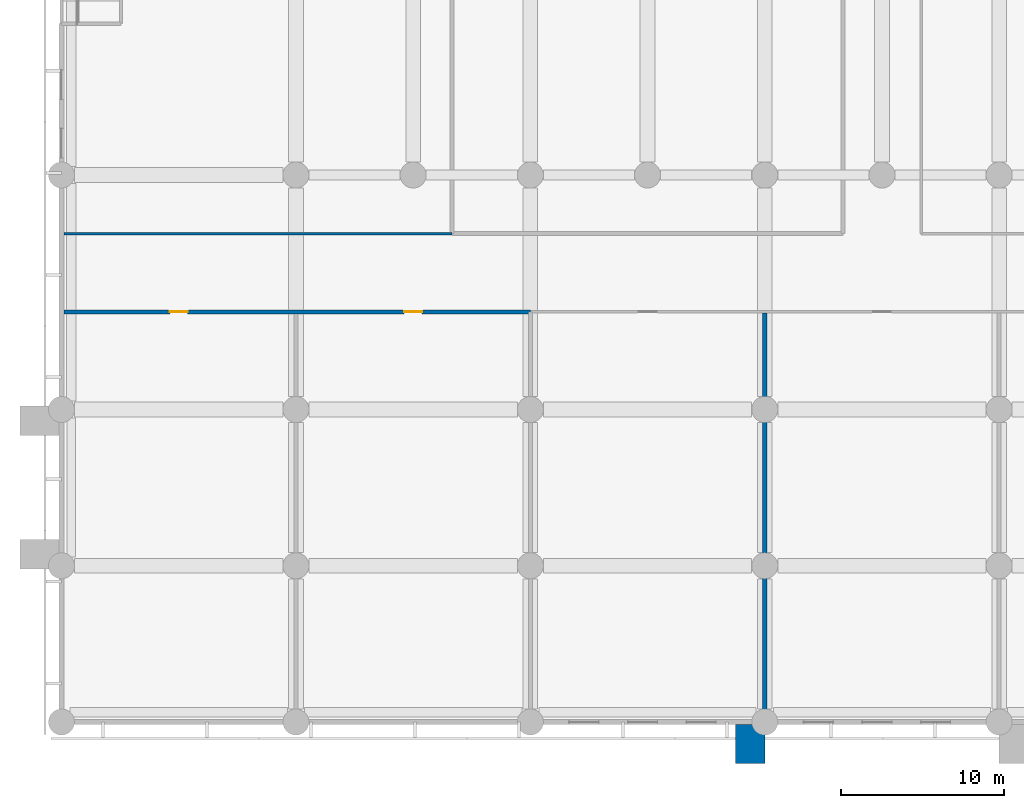
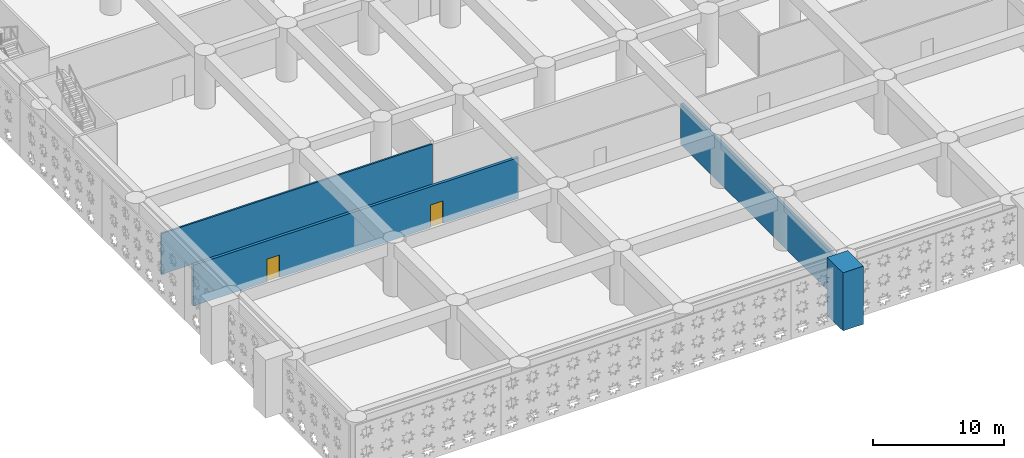
# One storey, part 3 of 30: 4 walls, 2 doors, 2 openings.
"""IFC4 building model written with IfcOpenShell, lengths in metres."""

from ifc_helpers import new_model, si_unit, direction, frame, frame_2d, origin, place, context, subcontext, project, spatial, rectangle, extrude, material, layer, layer_set, type_object, element, fill, save


model = new_model("IFC4")

# Units and contexts
model_context = context("Model", 3, precision=1e-05, world=origin(), true_north=direction((0.0, 1.0)))
body_context = subcontext(model_context, "Body", "Model", "MODEL_VIEW")
ifc_project = project(units=[si_unit("LENGTHUNIT", "METRE"), si_unit("AREAUNIT", "SQUARE_METRE"), si_unit("VOLUMEUNIT", "CUBIC_METRE"), si_unit("PLANEANGLEUNIT", "RADIAN"), si_unit("MASSUNIT", "GRAM", prefix="KILO")], contexts=[model_context])

# Site, building, storey
site_placement = place(None, origin())
site = spatial("IfcSite", under=ifc_project, at=site_placement, CompositionType="ELEMENT")
building_placement = place(site_placement, origin())
building = spatial("IfcBuilding", under=site, at=building_placement, Name="Saffron Iwan Residences", CompositionType="ELEMENT")
storey_placement = place(building_placement, frame((0.0, 0.0, 7.800048828125)))
storey = spatial("IfcBuildingStorey", under=building, at=storey_placement, Name="L01", CompositionType="ELEMENT", Elevation=7.800048828125)

# Wall
ifc_material_1 = material(Name="Concrete blockwork", Category="masonry")
ifc_layer_1 = layer(ifc_material_1, 0.14990234375)
ifc_layer_set_1 = layer_set([ifc_layer_1], Name="Concrete blockwork")
wall_type_1 = type_object("IfcWallType", Name="Blockwork partition 150", PredefinedType="PARTITIONING", material=ifc_layer_set_1)
wall_1_placement = place(storey_placement, frame((0.14990234375, 30.0, 0.0), z_axis=(0.0, 0.0, 1.0), x_axis=(1.0, 0.0, 0.0)))
element("IfcWall", 1, at=wall_1_placement, inside=storey, type_object=wall_type_1, Name="W-L01-005", PredefinedType="PARTITIONING", context=body_context, shape_type="SweptSolid", body=[
    extrude(rectangle(XDim=23.85009765625, YDim=0.14990234375, at=frame_2d((11.925048828125, 0.0))), origin(), (0.0, 0.0, 1.0), 3.800048828125),
])

# Wall, openings, doors
ifc_material_2 = material(Name="Concrete C40/50", Category="concrete")
ifc_layer_2 = layer(ifc_material_2, 0.25)
ifc_layer_set_2 = layer_set([ifc_layer_2], Name="Concrete C40/50")
wall_type_2 = type_object("IfcWallType", Name="Fire compartment wall 250", PredefinedType="SOLIDWALL", material=ifc_layer_set_2)
wall_2_placement = place(storey_placement, frame((0.14990234375, 25.199951171875, 0.0), z_axis=(0.0, 0.0, 1.0), x_axis=(1.0, 0.0, 0.0)))
wall_2 = element("IfcWall", 2, at=wall_2_placement, inside=storey, type_object=wall_type_2, Name="W-L01-003", PredefinedType="SOLIDWALL", context=body_context, shape_type="SweptSolid", body=[
    extrude(rectangle(XDim=28.650146484375, YDim=0.25, at=frame_2d((14.3251953125, 0.0))), origin(), (0.0, 0.0, 1.0), 3.800048828125),
])
opening_1_placement = place(wall_2_placement, frame((6.5, 0.0, 0.0)))
opening_1 = element("IfcOpeningElement", 3, at=opening_1_placement, cuts=wall_2, Name="Opening L01.01", PredefinedType="OPENING", context=body_context, shape_type="SweptSolid", body=[
    extrude(rectangle(XDim=1.10009765625, YDim=2.10009765625, at=frame_2d((0.550048828125, 1.050048828125))), frame((0.0, 0.135009765625, 0.0), z_axis=(0.0, -1.0, 0.0), x_axis=(1.0, 0.0, 0.0)), (0.0, 0.0, 1.0), 0.27001953125),
])
opening_2_placement = place(wall_2_placement, frame((20.89990234375, 0.0, 0.0)))
opening_2 = element("IfcOpeningElement", 4, at=opening_2_placement, cuts=wall_2, Name="Opening L01.02", PredefinedType="OPENING", context=body_context, shape_type="SweptSolid", body=[
    extrude(rectangle(XDim=1.10009765625, YDim=2.10009765625, at=frame_2d((0.550048828125, 1.050048828125))), frame((0.0, 0.135009765625, 0.0), z_axis=(0.0, -1.0, 0.0), x_axis=(1.0, 0.0, 0.0)), (0.0, 0.0, 1.0), 0.27001953125),
])
ifc_material_3 = material(Name="Steel", Category="steel")
door_type = type_object("IfcDoorType", Name="Fire door 1100x2100", OperationType="NOTDEFINED", PredefinedType="DOOR", material=ifc_material_3)
door_1_placement = place(opening_1_placement, origin())
door_1 = element("IfcDoor", 5, at=door_1_placement, inside=storey, type_object=door_type, Name="D-L01-001", OperationType="SINGLE_SWING_LEFT", OverallHeight=2.10009765625, OverallWidth=1.10009765625, PredefinedType="DOOR", context=body_context, shape_type="SweptSolid", body=[
    extrude(rectangle(XDim=1.10009765625, YDim=2.10009765625, at=frame_2d((0.550048828125, 1.050048828125))), frame((0.0, 0.02490234375, 0.0), z_axis=(0.0, -1.0, 0.0), x_axis=(1.0, 0.0, 0.0)), (0.0, 0.0, 1.0), 0.050048828125),
])
fill(opening_1, door_1)
door_2_placement = place(opening_2_placement, origin())
door_2 = element("IfcDoor", 6, at=door_2_placement, inside=storey, type_object=door_type, Name="D-L01-002", OperationType="SINGLE_SWING_RIGHT", OverallHeight=2.10009765625, OverallWidth=1.10009765625, PredefinedType="DOOR", context=body_context, shape_type="SweptSolid", body=[
    extrude(rectangle(XDim=1.10009765625, YDim=2.10009765625, at=frame_2d((0.550048828125, 1.050048828125))), frame((0.0, 0.02490234375, 0.0), z_axis=(0.0, -1.0, 0.0), x_axis=(1.0, 0.0, 0.0)), (0.0, 0.0, 1.0), 0.050048828125),
])
fill(opening_2, door_2)

# Walls
wall_3_placement = place(storey_placement, frame((43.199951171875, 0.14990234375, 0.0), z_axis=(0.0, 0.0, 1.0), x_axis=(0.0, 1.0, 0.0)))
element("IfcWall", 7, at=wall_3_placement, inside=storey, type_object=wall_type_2, Name="W-L01-040", PredefinedType="SOLIDWALL", context=body_context, shape_type="SweptSolid", body=[
    extrude(rectangle(XDim=24.97509765625, YDim=0.25, at=frame_2d((12.487548828125, 0.0))), origin(), (0.0, 0.0, 1.0), 3.800048828125),
])
ifc_material_4 = material(Name="Terracotta coloured precast concrete C40/50", Category="masonry")
ifc_layer_3 = layer(ifc_material_4, 1.800048828125)
ifc_layer_set_3 = layer_set([ifc_layer_3], Name="Terracotta coloured precast concrete C40/50")
wall_type_3 = type_object("IfcWallType", Name="Portal pier, precast concrete 1800", PredefinedType="SOLIDWALL", material=ifc_layer_set_3)
wall_4_placement = place(storey_placement, frame((42.300048828125, -2.550048828125, 0.0), z_axis=(0.0, 0.0, 1.0), x_axis=(0.0, 1.0, 0.0)))
element("IfcWall", 8, at=wall_4_placement, inside=storey, type_object=wall_type_3, Name="Portal pier W L01", PredefinedType="SOLIDWALL", context=body_context, shape_type="SweptSolid", body=[
    extrude(rectangle(XDim=2.400146484375, YDim=1.800048828125, at=frame_2d((1.2001953125, 0.0))), origin(), (0.0, 0.0, 1.0), 5.39990234375),
])

save(model, "model.ifc")
